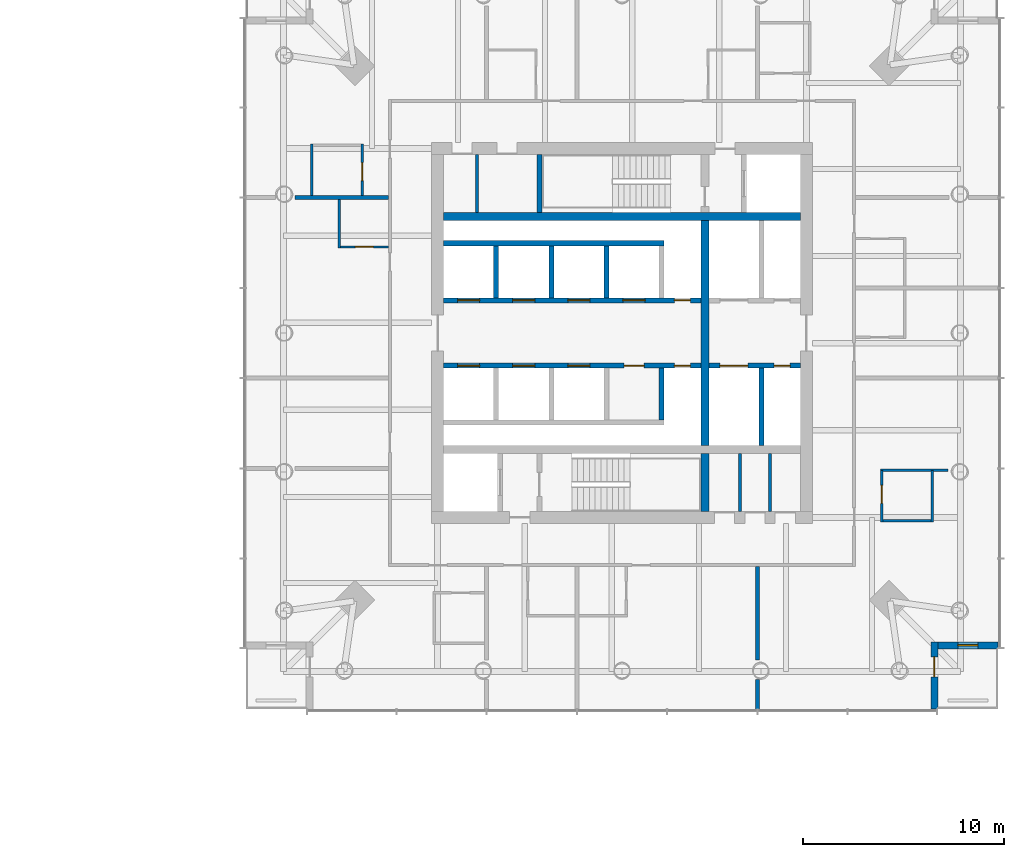
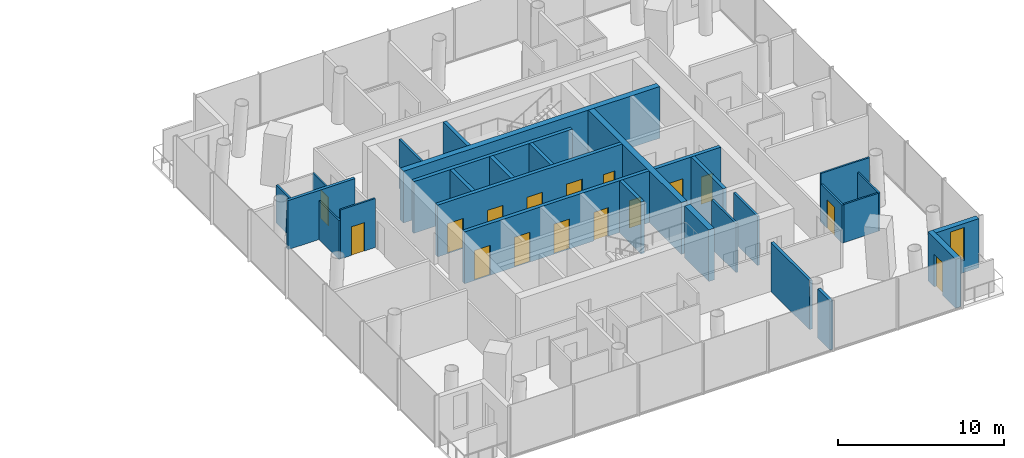
# One storey, part 13 of 18: 29 walls, 16 doors, 1 window, 17 openings.
"""IFC4 building model written with IfcOpenShell, lengths in metres."""

from ifc_helpers import new_model, si_unit, direction, frame, frame_2d, origin, place, context, subcontext, project, spatial, rectangle, extrude, material, layer, layer_set, type_object, element, fill, save


model = new_model("IFC4")

# Units and contexts
model_context = context("Model", 3, precision=1e-05, world=origin(), true_north=direction((0.0, 1.0)))
body_context = subcontext(model_context, "Body", "Model", "MODEL_VIEW")
ifc_project = project(units=[si_unit("LENGTHUNIT", "METRE"), si_unit("AREAUNIT", "SQUARE_METRE"), si_unit("VOLUMEUNIT", "CUBIC_METRE"), si_unit("PLANEANGLEUNIT", "RADIAN"), si_unit("MASSUNIT", "GRAM", prefix="KILO")], contexts=[model_context])

# Site, building, storey
site_placement = place(None, origin())
site = spatial("IfcSite", under=ifc_project, at=site_placement, CompositionType="ELEMENT")
building_placement = place(site_placement, origin())
building = spatial("IfcBuilding", under=site, at=building_placement, Name="Ostroluk Exchange", CompositionType="ELEMENT")
storey_placement = place(building_placement, frame((0.0, 0.0, 70.39990234375)))
storey = spatial("IfcBuildingStorey", under=building, at=storey_placement, Name="L17", CompositionType="ELEMENT", Elevation=70.39990234375)

# Walls
ifc_material_1 = material(Name="Concrete blockwork", Category="masonry")
ifc_layer_1 = layer(ifc_material_1, 0.14990234375)
ifc_layer_set_1 = layer_set([ifc_layer_1], Name="Blockwork plant room wall 150")
wall_type_1 = type_object("IfcWallType", Name="Blockwork plant room wall 150", PredefinedType="SOLIDWALL", material=ifc_layer_set_1)
for number, where, z_axis, x_axis, name in (
    (1, (122.8837890625, 37.10009765625, 0.0), (0.0, 0.0, 1.0), (0.0, 1.0, 0.0), "Core room wall"),
    (2, (124.391845703125, 37.10009765625, 0.0), (0.0, 0.0, 1.0), (0.0, 1.0, 0.0), "Core room wall"),
    (3, (109.77392578125, 52.0, 0.0), (0.0, 0.0, 1.0), (0.0, 1.0, 0.0), "Core room wall"),
):
    element("IfcWall", number, at=place(storey_placement, frame(where, z_axis=z_axis, x_axis=x_axis)), inside=storey, type_object=wall_type_1, Name=name, PredefinedType="SOLIDWALL", context=body_context, shape_type="SweptSolid", body=[
        extrude(rectangle(XDim=2.89990234375, YDim=0.14990234375, at=frame_2d((1.449951171875, 0.0))), origin(), (0.0, 0.0, 1.0), 3.60009765625),
    ])
ifc_material_2 = material(Name="Concrete C50/60", Category="concrete")
ifc_layer_2 = layer(ifc_material_2, 0.39990234375)
ifc_layer_set_2 = layer_set([ifc_layer_2], Name="Core cross wall 400 C50/60")
wall_type_2 = type_object("IfcWallType", Name="Core cross wall 400 C50/60", PredefinedType="SHEAR", material=ifc_layer_set_2)
wall_1_placement = place(storey_placement, frame((108.10009765625, 51.800048828125, 0.0), z_axis=(0.0, 0.0, 1.0), x_axis=(1.0, 0.0, 0.0)))
element("IfcWall", 4, at=wall_1_placement, inside=storey, type_object=wall_type_2, Name="T2 core wall XN", PredefinedType="SHEAR", context=body_context, shape_type="SweptSolid", body=[
    extrude(rectangle(XDim=17.7998046875, YDim=0.39990234375, at=frame_2d((8.89990234375, 0.0))), origin(), (0.0, 0.0, 1.0), 3.800048828125),
])
wall_2_placement = place(storey_placement, frame((121.1298828125, 37.10009765625, 0.0), z_axis=(0.0, 0.0, 1.0), x_axis=(0.0, 1.0, 0.0)))
element("IfcWall", 5, at=wall_2_placement, inside=storey, type_object=wall_type_2, Name="T2 core wall YE1", PredefinedType="SHEAR", context=body_context, shape_type="SweptSolid", body=[
    extrude(rectangle(XDim=2.89990234375, YDim=0.39990234375, at=frame_2d((1.449951171875, 0.0))), origin(), (0.0, 0.0, 1.0), 3.800048828125),
])
wall_3_placement = place(storey_placement, frame((121.1298828125, 40.39990234375, 0.0), z_axis=(0.0, 0.0, 1.0), x_axis=(0.0, 1.0, 0.0)))
element("IfcWall", 6, at=wall_3_placement, inside=storey, type_object=wall_type_2, Name="T2 core wall YE2", PredefinedType="SHEAR", context=body_context, shape_type="SweptSolid", body=[
    extrude(rectangle(XDim=11.2001953125, YDim=0.39990234375, at=frame_2d((5.60009765625, 0.0))), origin(), (0.0, 0.0, 1.0), 3.800048828125),
])
ifc_material_3 = material(Name="Concrete C40/50", Category="concrete")
ifc_layer_3 = layer(ifc_material_3, 0.25)
ifc_layer_set_3 = layer_set([ifc_layer_3], Name="Core shaft wall 250")
wall_type_3 = type_object("IfcWallType", Name="Core shaft wall 250", PredefinedType="SHEAR", material=ifc_layer_set_3)
wall_4_placement = place(storey_placement, frame((112.875, 52.0, 0.0), z_axis=(0.0, 0.0, 1.0), x_axis=(0.0, 1.0, 0.0)))
element("IfcWall", 7, at=wall_4_placement, inside=storey, type_object=wall_type_3, Name="Stair shaft wall", PredefinedType="SHEAR", context=body_context, shape_type="SweptSolid", body=[
    extrude(rectangle(XDim=2.89990234375, YDim=0.25, at=frame_2d((1.449951171875, 0.0))), origin(), (0.0, 0.0, 1.0), 3.800048828125),
])
for number, where, z_axis, x_axis, name in (
    (8, (110.72509765625, 47.75, 0.0), (0.0, 0.0, 1.0), (0.0, 1.0, 0.0), "Lift shaft wall"),
    (9, (113.47509765625, 47.75, 0.0), (0.0, 0.0, 1.0), (0.0, 1.0, 0.0), "Lift shaft wall"),
    (10, (116.22509765625, 47.75, 0.0), (0.0, 0.0, 1.0), (0.0, 1.0, 0.0), "Lift shaft wall"),
):
    element("IfcWall", number, at=place(storey_placement, frame(where, z_axis=z_axis, x_axis=x_axis)), inside=storey, type_object=wall_type_3, Name=name, PredefinedType="SHEAR", context=body_context, shape_type="SweptSolid", body=[
        extrude(rectangle(XDim=2.60009765625, YDim=0.25, at=frame_2d((1.300048828125, 0.0))), origin(), (0.0, 0.0, 1.0), 3.800048828125),
    ])
wall_5_placement = place(storey_placement, frame((108.10009765625, 50.47509765625, 0.0), z_axis=(0.0, 0.0, 1.0), x_axis=(1.0, 0.0, 0.0)))
element("IfcWall", 11, at=wall_5_placement, inside=storey, type_object=wall_type_3, Name="Lift shaft wall", PredefinedType="SHEAR", context=body_context, shape_type="SweptSolid", body=[
    extrude(rectangle(XDim=11.0, YDim=0.25, at=frame_2d((5.5, 0.0))), origin(), (0.0, 0.0, 1.0), 3.800048828125),
])

# Wall, openings, doors
wall_6_placement = place(storey_placement, frame((108.10009765625, 47.625, 0.0), z_axis=(0.0, 0.0, 1.0), x_axis=(1.0, 0.0, 0.0)))
wall_6 = element("IfcWall", 12, at=wall_6_placement, inside=storey, type_object=wall_type_3, Name="Lift shaft front wall", PredefinedType="SHEAR", context=body_context, shape_type="SweptSolid", body=[
    extrude(rectangle(XDim=12.829833984375, YDim=0.25, at=frame_2d((6.4150390625, 0.0))), origin(), (0.0, 0.0, 1.0), 3.800048828125),
])
opening_1_placement = place(wall_6_placement, frame((0.699951171875, 0.0, 0.0)))
opening_1 = element("IfcOpeningElement", 13, at=opening_1_placement, cuts=wall_6, Name="Opening LD", PredefinedType="OPENING", context=body_context, shape_type="SweptSolid", body=[
    extrude(rectangle(XDim=1.10009765625, YDim=2.199951171875, at=frame_2d((0.550048828125, 1.10009765625))), frame((0.0, 0.135009765625, 0.0), z_axis=(0.0, -1.0, 0.0), x_axis=(1.0, 0.0, 0.0)), (0.0, 0.0, 1.0), 0.27001953125),
])
opening_2_placement = place(wall_6_placement, frame((3.449951171875, 0.0, 0.0)))
opening_2 = element("IfcOpeningElement", 14, at=opening_2_placement, cuts=wall_6, Name="Opening LD", PredefinedType="OPENING", context=body_context, shape_type="SweptSolid", body=[
    extrude(rectangle(XDim=1.10009765625, YDim=2.199951171875, at=frame_2d((0.550048828125, 1.10009765625))), frame((0.0, 0.135009765625, 0.0), z_axis=(0.0, -1.0, 0.0), x_axis=(1.0, 0.0, 0.0)), (0.0, 0.0, 1.0), 0.27001953125),
])
opening_3_placement = place(wall_6_placement, frame((6.199951171875, 0.0, 0.0)))
opening_3 = element("IfcOpeningElement", 15, at=opening_3_placement, cuts=wall_6, Name="Opening LD", PredefinedType="OPENING", context=body_context, shape_type="SweptSolid", body=[
    extrude(rectangle(XDim=1.10009765625, YDim=2.199951171875, at=frame_2d((0.550048828125, 1.10009765625))), frame((0.0, 0.135009765625, 0.0), z_axis=(0.0, -1.0, 0.0), x_axis=(1.0, 0.0, 0.0)), (0.0, 0.0, 1.0), 0.27001953125),
])
opening_4_placement = place(wall_6_placement, frame((8.949951171875, 0.0, 0.0)))
opening_4 = element("IfcOpeningElement", 16, at=opening_4_placement, cuts=wall_6, Name="Opening LD", PredefinedType="OPENING", context=body_context, shape_type="SweptSolid", body=[
    extrude(rectangle(XDim=1.10009765625, YDim=2.199951171875, at=frame_2d((0.550048828125, 1.10009765625))), frame((0.0, 0.135009765625, 0.0), z_axis=(0.0, -1.0, 0.0), x_axis=(1.0, 0.0, 0.0)), (0.0, 0.0, 1.0), 0.27001953125),
])
opening_5_placement = place(wall_6_placement, frame((11.514892578125, 0.0, 0.0)))
opening_5 = element("IfcOpeningElement", 17, at=opening_5_placement, cuts=wall_6, Name="Opening RD60", PredefinedType="OPENING", context=body_context, shape_type="SweptSolid", body=[
    extrude(rectangle(XDim=0.800048828125, YDim=2.0, at=frame_2d((0.39990234375, 1.0))), frame((0.0, 0.135009765625, 0.0), z_axis=(0.0, -1.0, 0.0), x_axis=(1.0, 0.0, 0.0)), (0.0, 0.0, 1.0), 0.27001953125),
])
ifc_material_4 = material(Name="Stainless steel", Category="steel")
door_type_1 = type_object("IfcDoorType", Name="Lift landing door E 60 1100 x 2200", OperationType="DOUBLE_DOOR_SLIDING", PredefinedType="DOOR", material=ifc_material_4)
door_1_placement = place(opening_1_placement, origin())
door_1 = element("IfcDoor", 18, at=door_1_placement, inside=storey, type_object=door_type_1, Name="Lift HL1 landing door", OperationType="DOUBLE_DOOR_SLIDING", OverallHeight=2.199951171875, OverallWidth=1.10009765625, PredefinedType="DOOR", context=body_context, shape_type="SweptSolid", body=[
    extrude(rectangle(XDim=1.10009765625, YDim=2.199951171875, at=frame_2d((0.550048828125, 1.10009765625))), frame((0.0, 0.02490234375, 0.0), z_axis=(0.0, -1.0, 0.0), x_axis=(1.0, 0.0, 0.0)), (0.0, 0.0, 1.0), 0.050048828125),
])
fill(opening_1, door_1)
door_2_placement = place(opening_2_placement, origin())
door_2 = element("IfcDoor", 19, at=door_2_placement, inside=storey, type_object=door_type_1, Name="Lift HL2 landing door", OperationType="DOUBLE_DOOR_SLIDING", OverallHeight=2.199951171875, OverallWidth=1.10009765625, PredefinedType="DOOR", context=body_context, shape_type="SweptSolid", body=[
    extrude(rectangle(XDim=1.10009765625, YDim=2.199951171875, at=frame_2d((0.550048828125, 1.10009765625))), frame((0.0, 0.02490234375, 0.0), z_axis=(0.0, -1.0, 0.0), x_axis=(1.0, 0.0, 0.0)), (0.0, 0.0, 1.0), 0.050048828125),
])
fill(opening_2, door_2)
door_3_placement = place(opening_3_placement, origin())
door_3 = element("IfcDoor", 20, at=door_3_placement, inside=storey, type_object=door_type_1, Name="Lift HL3 landing door", OperationType="DOUBLE_DOOR_SLIDING", OverallHeight=2.199951171875, OverallWidth=1.10009765625, PredefinedType="DOOR", context=body_context, shape_type="SweptSolid", body=[
    extrude(rectangle(XDim=1.10009765625, YDim=2.199951171875, at=frame_2d((0.550048828125, 1.10009765625))), frame((0.0, 0.02490234375, 0.0), z_axis=(0.0, -1.0, 0.0), x_axis=(1.0, 0.0, 0.0)), (0.0, 0.0, 1.0), 0.050048828125),
])
fill(opening_3, door_3)
door_4_placement = place(opening_4_placement, origin())
door_4 = element("IfcDoor", 21, at=door_4_placement, inside=storey, type_object=door_type_1, Name="Lift HL4 landing door", OperationType="DOUBLE_DOOR_SLIDING", OverallHeight=2.199951171875, OverallWidth=1.10009765625, PredefinedType="DOOR", context=body_context, shape_type="SweptSolid", body=[
    extrude(rectangle(XDim=1.10009765625, YDim=2.199951171875, at=frame_2d((0.550048828125, 1.10009765625))), frame((0.0, 0.02490234375, 0.0), z_axis=(0.0, -1.0, 0.0), x_axis=(1.0, 0.0, 0.0)), (0.0, 0.0, 1.0), 0.050048828125),
])
fill(opening_4, door_4)
ifc_material_5 = material(Name="Steel", Category="steel")
door_type_2 = type_object("IfcDoorType", Name="Riser access door EI 60 800 x 2000", OperationType="SINGLE_SWING_LEFT", PredefinedType="DOOR", material=ifc_material_5)
door_5_placement = place(opening_5_placement, origin())
door_5 = element("IfcDoor", 22, at=door_5_placement, inside=storey, type_object=door_type_2, Name="Riser access door", OperationType="SINGLE_SWING_RIGHT", OverallHeight=2.0, OverallWidth=0.800048828125, PredefinedType="DOOR", context=body_context, shape_type="SweptSolid", body=[
    extrude(rectangle(XDim=0.800048828125, YDim=2.0, at=frame_2d((0.39990234375, 1.0))), frame((0.0, 0.02490234375, 0.0), z_axis=(0.0, -1.0, 0.0), x_axis=(1.0, 0.0, 0.0)), (0.0, 0.0, 1.0), 0.050048828125),
])
fill(opening_5, door_5)

# Wall
wall_7_placement = place(storey_placement, frame((118.97509765625, 44.25, 0.0), z_axis=(0.0, 0.0, 1.0), x_axis=(0.0, -1.0, 0.0)))
element("IfcWall", 23, at=wall_7_placement, inside=storey, type_object=wall_type_3, Name="Lift shaft wall", PredefinedType="SHEAR", context=body_context, shape_type="SweptSolid", body=[
    extrude(rectangle(XDim=2.60009765625, YDim=0.25, at=frame_2d((1.300048828125, 0.0))), origin(), (0.0, 0.0, 1.0), 3.800048828125),
])

# Wall, openings, doors
wall_8_placement = place(storey_placement, frame((108.10009765625, 44.375, 0.0), z_axis=(0.0, 0.0, 1.0), x_axis=(1.0, 0.0, 0.0)))
wall_8 = element("IfcWall", 24, at=wall_8_placement, inside=storey, type_object=wall_type_3, Name="Lift shaft front wall", PredefinedType="SHEAR", context=body_context, shape_type="SweptSolid", body=[
    extrude(rectangle(XDim=12.829833984375, YDim=0.25, at=frame_2d((6.4150390625, 0.0))), origin(), (0.0, 0.0, 1.0), 3.800048828125),
])
opening_6_placement = place(wall_8_placement, frame((0.699951171875, 0.0, 0.0)))
opening_6 = element("IfcOpeningElement", 25, at=opening_6_placement, cuts=wall_8, Name="Opening LD", PredefinedType="OPENING", context=body_context, shape_type="SweptSolid", body=[
    extrude(rectangle(XDim=1.10009765625, YDim=2.199951171875, at=frame_2d((0.550048828125, 1.10009765625))), frame((0.0, 0.135009765625, 0.0), z_axis=(0.0, -1.0, 0.0), x_axis=(1.0, 0.0, 0.0)), (0.0, 0.0, 1.0), 0.27001953125),
])
opening_7_placement = place(wall_8_placement, frame((3.449951171875, 0.0, 0.0)))
opening_7 = element("IfcOpeningElement", 26, at=opening_7_placement, cuts=wall_8, Name="Opening LD", PredefinedType="OPENING", context=body_context, shape_type="SweptSolid", body=[
    extrude(rectangle(XDim=1.10009765625, YDim=2.199951171875, at=frame_2d((0.550048828125, 1.10009765625))), frame((0.0, 0.135009765625, 0.0), z_axis=(0.0, -1.0, 0.0), x_axis=(1.0, 0.0, 0.0)), (0.0, 0.0, 1.0), 0.27001953125),
])
opening_8_placement = place(wall_8_placement, frame((6.199951171875, 0.0, 0.0)))
opening_8 = element("IfcOpeningElement", 27, at=opening_8_placement, cuts=wall_8, Name="Opening LD", PredefinedType="OPENING", context=body_context, shape_type="SweptSolid", body=[
    extrude(rectangle(XDim=1.10009765625, YDim=2.199951171875, at=frame_2d((0.550048828125, 1.10009765625))), frame((0.0, 0.135009765625, 0.0), z_axis=(0.0, -1.0, 0.0), x_axis=(1.0, 0.0, 0.0)), (0.0, 0.0, 1.0), 0.27001953125),
])
opening_9_placement = place(wall_8_placement, frame((9.0, 0.0, 0.0)))
opening_9 = element("IfcOpeningElement", 28, at=opening_9_placement, cuts=wall_8, Name="Opening FD60", PredefinedType="OPENING", context=body_context, shape_type="SweptSolid", body=[
    extrude(rectangle(XDim=1.0, YDim=2.10009765625, at=frame_2d((0.5, 1.050048828125))), frame((0.0, 0.135009765625, 0.0), z_axis=(0.0, -1.0, 0.0), x_axis=(1.0, 0.0, 0.0)), (0.0, 0.0, 1.0), 0.27001953125),
])
opening_10_placement = place(wall_8_placement, frame((11.514892578125, 0.0, 0.0)))
opening_10 = element("IfcOpeningElement", 29, at=opening_10_placement, cuts=wall_8, Name="Opening RD60", PredefinedType="OPENING", context=body_context, shape_type="SweptSolid", body=[
    extrude(rectangle(XDim=0.800048828125, YDim=2.0, at=frame_2d((0.39990234375, 1.0))), frame((0.0, 0.135009765625, 0.0), z_axis=(0.0, -1.0, 0.0), x_axis=(1.0, 0.0, 0.0)), (0.0, 0.0, 1.0), 0.27001953125),
])
ifc_material_6 = material(Name="Steel", Category="steel")
door_type_3 = type_object("IfcDoorType", Name="Fire door EI 60 1000 x 2100", OperationType="SINGLE_SWING_LEFT", PredefinedType="DOOR", material=ifc_material_6)
door_6_placement = place(opening_9_placement, origin())
door_6 = element("IfcDoor", 30, at=door_6_placement, inside=storey, type_object=door_type_3, Name="Core room door", OperationType="SINGLE_SWING_RIGHT", OverallHeight=2.10009765625, OverallWidth=1.0, PredefinedType="DOOR", context=body_context, shape_type="SweptSolid", body=[
    extrude(rectangle(XDim=1.0, YDim=2.10009765625, at=frame_2d((0.5, 1.050048828125))), frame((0.0, 0.02490234375, 0.0), z_axis=(0.0, -1.0, 0.0), x_axis=(1.0, 0.0, 0.0)), (0.0, 0.0, 1.0), 0.050048828125),
])
fill(opening_9, door_6)
door_7_placement = place(opening_6_placement, origin())
door_7 = element("IfcDoor", 31, at=door_7_placement, inside=storey, type_object=door_type_1, Name="Lift HL5 landing door", OperationType="DOUBLE_DOOR_SLIDING", OverallHeight=2.199951171875, OverallWidth=1.10009765625, PredefinedType="DOOR", context=body_context, shape_type="SweptSolid", body=[
    extrude(rectangle(XDim=1.10009765625, YDim=2.199951171875, at=frame_2d((0.550048828125, 1.10009765625))), frame((0.0, 0.02490234375, 0.0), z_axis=(0.0, -1.0, 0.0), x_axis=(1.0, 0.0, 0.0)), (0.0, 0.0, 1.0), 0.050048828125),
])
fill(opening_6, door_7)
door_8_placement = place(opening_7_placement, origin())
door_8 = element("IfcDoor", 32, at=door_8_placement, inside=storey, type_object=door_type_1, Name="Lift HL6 landing door", OperationType="DOUBLE_DOOR_SLIDING", OverallHeight=2.199951171875, OverallWidth=1.10009765625, PredefinedType="DOOR", context=body_context, shape_type="SweptSolid", body=[
    extrude(rectangle(XDim=1.10009765625, YDim=2.199951171875, at=frame_2d((0.550048828125, 1.10009765625))), frame((0.0, 0.02490234375, 0.0), z_axis=(0.0, -1.0, 0.0), x_axis=(1.0, 0.0, 0.0)), (0.0, 0.0, 1.0), 0.050048828125),
])
fill(opening_7, door_8)
door_9_placement = place(opening_8_placement, origin())
door_9 = element("IfcDoor", 33, at=door_9_placement, inside=storey, type_object=door_type_1, Name="Lift HL7 landing door", OperationType="DOUBLE_DOOR_SLIDING", OverallHeight=2.199951171875, OverallWidth=1.10009765625, PredefinedType="DOOR", context=body_context, shape_type="SweptSolid", body=[
    extrude(rectangle(XDim=1.10009765625, YDim=2.199951171875, at=frame_2d((0.550048828125, 1.10009765625))), frame((0.0, 0.02490234375, 0.0), z_axis=(0.0, -1.0, 0.0), x_axis=(1.0, 0.0, 0.0)), (0.0, 0.0, 1.0), 0.050048828125),
])
fill(opening_8, door_9)
door_10_placement = place(opening_10_placement, origin())
door_10 = element("IfcDoor", 34, at=door_10_placement, inside=storey, type_object=door_type_2, Name="Riser access door", OperationType="SINGLE_SWING_RIGHT", OverallHeight=2.0, OverallWidth=0.800048828125, PredefinedType="DOOR", context=body_context, shape_type="SweptSolid", body=[
    extrude(rectangle(XDim=0.800048828125, YDim=2.0, at=frame_2d((0.39990234375, 1.0))), frame((0.0, 0.02490234375, 0.0), z_axis=(0.0, -1.0, 0.0), x_axis=(1.0, 0.0, 0.0)), (0.0, 0.0, 1.0), 0.050048828125),
])
fill(opening_10, door_10)

# Wall
wall_9_placement = place(storey_placement, frame((123.955078125, 44.25, 0.0), z_axis=(0.0, 0.0, 1.0), x_axis=(0.0, -1.0, 0.0)))
element("IfcWall", 35, at=wall_9_placement, inside=storey, type_object=wall_type_3, Name="Lift shaft wall", PredefinedType="SHEAR", context=body_context, shape_type="SweptSolid", body=[
    extrude(rectangle(XDim=3.85009765625, YDim=0.25, at=frame_2d((1.925048828125, 0.0))), origin(), (0.0, 0.0, 1.0), 3.800048828125),
])

# Wall, openings, doors
wall_10_placement = place(storey_placement, frame((121.330078125, 44.375, 0.0), z_axis=(0.0, 0.0, 1.0), x_axis=(1.0, 0.0, 0.0)))
wall_10 = element("IfcWall", 36, at=wall_10_placement, inside=storey, type_object=wall_type_3, Name="Lift shaft front wall", PredefinedType="SHEAR", context=body_context, shape_type="SweptSolid", body=[
    extrude(rectangle(XDim=4.56982421875, YDim=0.25, at=frame_2d((2.284912109375, 0.0))), origin(), (0.0, 0.0, 1.0), 3.800048828125),
])
opening_11_placement = place(wall_10_placement, frame((0.550048828125, 0.0, 0.0)))
opening_11 = element("IfcOpeningElement", 37, at=opening_11_placement, cuts=wall_10, Name="Opening LD3", PredefinedType="OPENING", context=body_context, shape_type="SweptSolid", body=[
    extrude(rectangle(XDim=1.39990234375, YDim=2.39990234375, at=frame_2d((0.699951171875, 1.199951171875))), frame((0.0, 0.135009765625, 0.0), z_axis=(0.0, -1.0, 0.0), x_axis=(1.0, 0.0, 0.0)), (0.0, 0.0, 1.0), 0.27001953125),
])
opening_12_placement = place(wall_10_placement, frame((3.260009765625, 0.0, 0.0)))
opening_12 = element("IfcOpeningElement", 38, at=opening_12_placement, cuts=wall_10, Name="Opening RD60", PredefinedType="OPENING", context=body_context, shape_type="SweptSolid", body=[
    extrude(rectangle(XDim=0.800048828125, YDim=2.0, at=frame_2d((0.39990234375, 1.0))), frame((0.0, 0.135009765625, 0.0), z_axis=(0.0, -1.0, 0.0), x_axis=(1.0, 0.0, 0.0)), (0.0, 0.0, 1.0), 0.27001953125),
])
ifc_material_7 = material(Name="Stainless steel", Category="steel")
door_type_4 = type_object("IfcDoorType", Name="Goods lift landing door E 60 1400 x 2400", OperationType="DOUBLE_DOOR_SLIDING", PredefinedType="DOOR", material=ifc_material_7)
door_11_placement = place(opening_11_placement, origin())
door_11 = element("IfcDoor", 39, at=door_11_placement, inside=storey, type_object=door_type_4, Name="Lift HS2 landing door", OperationType="DOUBLE_DOOR_SLIDING", OverallHeight=2.39990234375, OverallWidth=1.39990234375, PredefinedType="DOOR", context=body_context, shape_type="SweptSolid", body=[
    extrude(rectangle(XDim=1.39990234375, YDim=2.39990234375, at=frame_2d((0.699951171875, 1.199951171875))), frame((0.0, 0.02490234375, 0.0), z_axis=(0.0, -1.0, 0.0), x_axis=(1.0, 0.0, 0.0)), (0.0, 0.0, 1.0), 0.050048828125),
])
fill(opening_11, door_11)
door_12_placement = place(opening_12_placement, origin())
door_12 = element("IfcDoor", 40, at=door_12_placement, inside=storey, type_object=door_type_2, Name="Riser access door", OperationType="SINGLE_SWING_RIGHT", OverallHeight=2.0, OverallWidth=0.800048828125, PredefinedType="DOOR", context=body_context, shape_type="SweptSolid", body=[
    extrude(rectangle(XDim=0.800048828125, YDim=2.0, at=frame_2d((0.39990234375, 1.0))), frame((0.0, 0.02490234375, 0.0), z_axis=(0.0, -1.0, 0.0), x_axis=(1.0, 0.0, 0.0)), (0.0, 0.0, 1.0), 0.050048828125),
])
fill(opening_12, door_12)

# Wall, opening, door
ifc_material_8 = material(Name="Limestone", Category="masonry")
ifc_layer_4 = layer(ifc_material_8, 0.35009765625)
ifc_layer_set_4 = layer_set([ifc_layer_4], Name="Limestone facade wall 350")
wall_type_4 = type_object("IfcWallType", Name="Limestone facade wall 350", PredefinedType="SOLIDWALL", material=ifc_layer_set_4)
wall_11_placement = place(storey_placement, frame((132.574951171875, 27.25, 0.0), z_axis=(0.0, 0.0, 1.0), x_axis=(0.0, 1.0, 0.0)))
wall_11 = element("IfcWall", 41, at=wall_11_placement, inside=storey, type_object=wall_type_4, Name="Hotel tower SE corner wall L17 a", PredefinedType="SOLIDWALL", context=body_context, shape_type="SweptSolid", body=[
    extrude(rectangle(XDim=3.35009765625, YDim=0.35009765625, at=frame_2d((1.675048828125, 0.0))), origin(), (0.0, 0.0, 1.0), 3.60009765625),
])
opening_13_placement = place(wall_11_placement, frame((1.60009765625, 0.0, 0.0)))
opening_13 = element("IfcOpeningElement", 42, at=opening_13_placement, cuts=wall_11, Name="Opening D-B1", PredefinedType="OPENING", context=body_context, shape_type="SweptSolid", body=[
    extrude(rectangle(XDim=1.0, YDim=2.39990234375, at=frame_2d((0.5, 1.199951171875))), frame((0.0, 0.18505859375, 0.0), z_axis=(0.0, -1.0, 0.0), x_axis=(1.0, 0.0, 0.0)), (0.0, 0.0, 1.0), 0.3701171875),
])
ifc_material_9 = material(Name="Bronze framed glazed door", Category="aluminium")
door_type_5 = type_object("IfcDoorType", Name="Balcony door 1000 x 2400", OperationType="SINGLE_SWING_LEFT", PredefinedType="DOOR", material=ifc_material_9)
door_13_placement = place(opening_13_placement, origin())
door_13 = element("IfcDoor", 43, at=door_13_placement, inside=storey, type_object=door_type_5, Name="Hotel tower SE balcony door L17", OperationType="SINGLE_SWING_RIGHT", OverallHeight=2.39990234375, OverallWidth=1.0, PredefinedType="DOOR", context=body_context, shape_type="SweptSolid", body=[
    extrude(rectangle(XDim=1.0, YDim=2.39990234375, at=frame_2d((0.5, 1.199951171875))), frame((0.0, 0.02490234375, 0.0), z_axis=(0.0, -1.0, 0.0), x_axis=(1.0, 0.0, 0.0)), (0.0, 0.0, 1.0), 0.050048828125),
])
fill(opening_13, door_13)

# Wall, opening, window
wall_12_placement = place(storey_placement, frame((132.75, 30.425048828125, 0.0), z_axis=(0.0, 0.0, 1.0), x_axis=(1.0, 0.0, 0.0)))
wall_12 = element("IfcWall", 44, at=wall_12_placement, inside=storey, type_object=wall_type_4, Name="Hotel tower SE corner wall L17 b", PredefinedType="SOLIDWALL", context=body_context, shape_type="SweptSolid", body=[
    extrude(rectangle(XDim=3.0, YDim=0.35009765625, at=frame_2d((1.5, 0.0))), origin(), (0.0, 0.0, 1.0), 3.60009765625),
])
opening_14_placement = place(wall_12_placement, frame((1.0, 0.0, 0.89990234375)))
opening_14 = element("IfcOpeningElement", 45, at=opening_14_placement, cuts=wall_12, Name="Opening WN-L3", PredefinedType="OPENING", context=body_context, shape_type="SweptSolid", body=[
    extrude(rectangle(XDim=1.0, YDim=2.39990234375, at=frame_2d((0.5, 1.199951171875))), frame((0.0, 0.18505859375, 0.0), z_axis=(0.0, -1.0, 0.0), x_axis=(1.0, 0.0, 0.0)), (0.0, 0.0, 1.0), 0.3701171875),
])
ifc_material_10 = material(Name="Laminated clear glass", Category="glass")
window_type = type_object("IfcWindowType", Name="Hotel lancet window 1000 x 2400", PartitioningType="SINGLE_PANEL", PredefinedType="WINDOW", material=ifc_material_10)
window_placement = place(opening_14_placement, origin())
window = element("IfcWindow", 46, at=window_placement, inside=storey, type_object=window_type, Name="Hotel tower SE lancet window L17", OverallHeight=2.39990234375, OverallWidth=1.0, PartitioningType="SINGLE_PANEL", PredefinedType="WINDOW", context=body_context, shape_type="SweptSolid", body=[
    extrude(rectangle(XDim=1.0, YDim=2.39990234375, at=frame_2d((0.5, 1.199951171875))), frame((0.0, 0.030029296875, 0.0), z_axis=(0.0, -1.0, 0.0), x_axis=(1.0, 0.0, 0.0)), (0.0, 0.0, 1.0), 0.06005859375),
])
fill(opening_14, window)

# Wall, opening, door
ifc_material_11 = material(Name="Gypsum plasterboard partition, moisture resistant", Category="gypsum")
ifc_layer_5 = layer(ifc_material_11, 0.1201171875)
ifc_layer_set_5 = layer_set([ifc_layer_5], Name="Plasterboard en-suite wall 120")
wall_type_5 = type_object("IfcWallType", Name="Plasterboard en-suite wall 120", PredefinedType="PARTITIONING", material=ifc_layer_set_5)
wall_13_placement = place(storey_placement, frame((129.949951171875, 39.14990234375, 0.0), z_axis=(0.0, 0.0, 1.0), x_axis=(0.0, -1.0, 0.0)))
wall_13 = element("IfcWall", 47, at=wall_13_placement, inside=storey, type_object=wall_type_5, Name="En-suite wall", PredefinedType="PARTITIONING", context=body_context, shape_type="SweptSolid", body=[
    extrude(rectangle(XDim=2.579833984375, YDim=0.1201171875, at=frame_2d((1.2900390625, 0.0))), origin(), (0.0, 0.0, 1.0), 2.800048828125),
])
opening_15_placement = place(wall_13_placement, frame((0.75, 0.0, 0.0)))
opening_15 = element("IfcOpeningElement", 48, at=opening_15_placement, cuts=wall_13, Name="Opening D-02", PredefinedType="OPENING", context=body_context, shape_type="SweptSolid", body=[
    extrude(rectangle(XDim=0.89990234375, YDim=2.10009765625, at=frame_2d((0.449951171875, 1.050048828125))), frame((0.0, 0.070068359375, 0.0), z_axis=(0.0, -1.0, 0.0), x_axis=(1.0, 0.0, 0.0)), (0.0, 0.0, 1.0), 0.14013671875),
])
ifc_material_12 = material(Name="Timber", Category="wood")
door_type_6 = type_object("IfcDoorType", Name="En-suite door 900 x 2100", OperationType="SINGLE_SWING_LEFT", PredefinedType="DOOR", material=ifc_material_12)
door_14_placement = place(opening_15_placement, origin())
door_14 = element("IfcDoor", 49, at=door_14_placement, inside=storey, type_object=door_type_6, Name="En-suite door 1701", OperationType="SINGLE_SWING_LEFT", OverallHeight=2.10009765625, OverallWidth=0.89990234375, PredefinedType="DOOR", context=body_context, shape_type="SweptSolid", body=[
    extrude(rectangle(XDim=0.89990234375, YDim=2.10009765625, at=frame_2d((0.449951171875, 1.050048828125))), frame((0.0, 0.02490234375, 0.0), z_axis=(0.0, -1.0, 0.0), x_axis=(1.0, 0.0, 0.0)), (0.0, 0.0, 1.0), 0.050048828125),
])
fill(opening_15, door_14)

# Walls
wall_14_placement = place(storey_placement, frame((132.469970703125, 39.14990234375, 0.0), z_axis=(0.0, 0.0, 1.0), x_axis=(0.0, -1.0, 0.0)))
element("IfcWall", 50, at=wall_14_placement, inside=storey, type_object=wall_type_5, Name="En-suite wall", PredefinedType="PARTITIONING", context=body_context, shape_type="SweptSolid", body=[
    extrude(rectangle(XDim=2.579833984375, YDim=0.1201171875, at=frame_2d((1.2900390625, 0.0))), origin(), (0.0, 0.0, 1.0), 2.800048828125),
])
wall_15_placement = place(storey_placement, frame((130.010009765625, 36.6298828125, 0.0), z_axis=(0.0, 0.0, 1.0), x_axis=(1.0, 0.0, 0.0)))
element("IfcWall", 51, at=wall_15_placement, inside=storey, type_object=wall_type_5, Name="En-suite wall", PredefinedType="PARTITIONING", context=body_context, shape_type="SweptSolid", body=[
    extrude(rectangle(XDim=2.39990234375, YDim=0.1201171875, at=frame_2d((1.199951171875, 0.0))), origin(), (0.0, 0.0, 1.0), 2.800048828125),
])
wall_16_placement = place(storey_placement, frame((129.889892578125, 39.14990234375, 0.0), z_axis=(0.0, 0.0, 1.0), x_axis=(1.0, 0.0, 0.0)))
element("IfcWall", 52, at=wall_16_placement, inside=storey, type_object=wall_type_5, Name="En-suite wall", PredefinedType="PARTITIONING", context=body_context, shape_type="SweptSolid", body=[
    extrude(rectangle(XDim=3.3701171875, YDim=0.1201171875, at=frame_2d((1.68505859375, 0.0))), origin(), (0.0, 0.0, 1.0), 3.60009765625),
])

# Wall, opening, door
wall_17_placement = place(storey_placement, frame((104.050048828125, 52.85009765625, 0.0), z_axis=(0.0, 0.0, 1.0), x_axis=(0.0, 1.0, 0.0)))
wall_17 = element("IfcWall", 53, at=wall_17_placement, inside=storey, type_object=wall_type_5, Name="En-suite wall", PredefinedType="PARTITIONING", context=body_context, shape_type="SweptSolid", body=[
    extrude(rectangle(XDim=2.579833984375, YDim=0.1201171875, at=frame_2d((1.2900390625, 0.0))), origin(), (0.0, 0.0, 1.0), 2.800048828125),
])
opening_16_placement = place(wall_17_placement, frame((0.75, 0.0, 0.0)))
opening_16 = element("IfcOpeningElement", 54, at=opening_16_placement, cuts=wall_17, Name="Opening D-02", PredefinedType="OPENING", context=body_context, shape_type="SweptSolid", body=[
    extrude(rectangle(XDim=0.89990234375, YDim=2.10009765625, at=frame_2d((0.449951171875, 1.050048828125))), frame((0.0, 0.070068359375, 0.0), z_axis=(0.0, -1.0, 0.0), x_axis=(1.0, 0.0, 0.0)), (0.0, 0.0, 1.0), 0.14013671875),
])
door_15_placement = place(opening_16_placement, origin())
door_15 = element("IfcDoor", 55, at=door_15_placement, inside=storey, type_object=door_type_6, Name="En-suite door 1707", OperationType="SINGLE_SWING_LEFT", OverallHeight=2.10009765625, OverallWidth=0.89990234375, PredefinedType="DOOR", context=body_context, shape_type="SweptSolid", body=[
    extrude(rectangle(XDim=0.89990234375, YDim=2.10009765625, at=frame_2d((0.449951171875, 1.050048828125))), frame((0.0, 0.02490234375, 0.0), z_axis=(0.0, -1.0, 0.0), x_axis=(1.0, 0.0, 0.0)), (0.0, 0.0, 1.0), 0.050048828125),
])
fill(opening_16, door_15)

# Walls
wall_18_placement = place(storey_placement, frame((101.530029296875, 52.85009765625, 0.0), z_axis=(0.0, 0.0, 1.0), x_axis=(0.0, 1.0, 0.0)))
element("IfcWall", 56, at=wall_18_placement, inside=storey, type_object=wall_type_5, Name="En-suite wall", PredefinedType="PARTITIONING", context=body_context, shape_type="SweptSolid", body=[
    extrude(rectangle(XDim=2.579833984375, YDim=0.1201171875, at=frame_2d((1.2900390625, 0.0))), origin(), (0.0, 0.0, 1.0), 2.800048828125),
])
wall_19_placement = place(storey_placement, frame((102.889892578125, 52.64990234375, 0.0), z_axis=(0.0, 0.0, 1.0), x_axis=(0.0, -1.0, 0.0)))
element("IfcWall", 57, at=wall_19_placement, inside=storey, type_object=wall_type_5, Name="En-suite wall", PredefinedType="PARTITIONING", context=body_context, shape_type="SweptSolid", body=[
    extrude(rectangle(XDim=2.419921875, YDim=0.1201171875, at=frame_2d((1.2099609375, 0.0))), origin(), (0.0, 0.0, 1.0), 2.84716796875),
])

# Wall, opening, door
wall_20_placement = place(storey_placement, frame((105.35009765625, 50.2900390625, 0.0), z_axis=(0.0, 0.0, 1.0), x_axis=(-1.0, 0.0, 0.0)))
wall_20 = element("IfcWall", 58, at=wall_20_placement, inside=storey, type_object=wall_type_5, Name="En-suite wall", PredefinedType="PARTITIONING", context=body_context, shape_type="SweptSolid", body=[
    extrude(rectangle(XDim=2.400146484375, YDim=0.1201171875, at=frame_2d((1.2001953125, 0.0))), origin(), (0.0, 0.0, 1.0), 3.60009765625),
])
opening_17_placement = place(wall_20_placement, frame((0.75, 0.0, 0.0)))
opening_17 = element("IfcOpeningElement", 59, at=opening_17_placement, cuts=wall_20, Name="Opening D-02", PredefinedType="OPENING", context=body_context, shape_type="SweptSolid", body=[
    extrude(rectangle(XDim=0.89990234375, YDim=2.10009765625, at=frame_2d((0.449951171875, 1.050048828125))), frame((0.0, 0.070068359375, 0.0), z_axis=(0.0, -1.0, 0.0), x_axis=(1.0, 0.0, 0.0)), (0.0, 0.0, 1.0), 0.14013671875),
])
door_16_placement = place(opening_17_placement, origin())
door_16 = element("IfcDoor", 60, at=door_16_placement, inside=storey, type_object=door_type_6, Name="En-suite door 1708", OperationType="SINGLE_SWING_RIGHT", OverallHeight=2.10009765625, OverallWidth=0.89990234375, PredefinedType="DOOR", context=body_context, shape_type="SweptSolid", body=[
    extrude(rectangle(XDim=0.89990234375, YDim=2.10009765625, at=frame_2d((0.449951171875, 1.050048828125))), frame((0.0, 0.02490234375, 0.0), z_axis=(0.0, -1.0, 0.0), x_axis=(1.0, 0.0, 0.0)), (0.0, 0.0, 1.0), 0.050048828125),
])
fill(opening_17, door_16)

# Walls
ifc_material_13 = material(Name="Gypsum plasterboard partition", Category="gypsum")
ifc_layer_6 = layer(ifc_material_13, 0.199951171875)
ifc_layer_set_6 = layer_set([ifc_layer_6], Name="Plasterboard party wall 200")
wall_type_6 = type_object("IfcWallType", Name="Plasterboard party wall 200", PredefinedType="PARTITIONING", material=ifc_layer_set_6)
for number, where, z_axis, x_axis, name in (
    (61, (105.35009765625, 52.75, 0.0), (0.0, 0.0, 1.0), (-1.0, 0.0, 0.0), "Party wall"),
    (62, (123.75, 34.35009765625, 0.0), (0.0, 0.0, 1.0), (0.0, -1.0, 0.0), "Party wall"),
):
    element("IfcWall", number, at=place(storey_placement, frame(where, z_axis=z_axis, x_axis=x_axis)), inside=storey, type_object=wall_type_6, Name=name, PredefinedType="PARTITIONING", context=body_context, shape_type="SweptSolid", body=[
        extrude(rectangle(XDim=4.650390625, YDim=0.199951171875, at=frame_2d((2.3251953125, 0.0))), origin(), (0.0, 0.0, 1.0), 3.60009765625),
    ])
wall_21_placement = place(storey_placement, frame((123.75, 28.722900390625, 0.0), z_axis=(0.0, 0.0, 1.0), x_axis=(0.0, -1.0, 0.0)))
element("IfcWall", 63, at=wall_21_placement, inside=storey, type_object=wall_type_6, Name="Party wall", PredefinedType="PARTITIONING", context=body_context, shape_type="SweptSolid", body=[
    extrude(rectangle(XDim=1.512939453125, YDim=0.199951171875, at=frame_2d((0.75634765625, 0.0))), origin(), (0.0, 0.0, 1.0), 3.60009765625),
])

save(model, "model.ifc")
